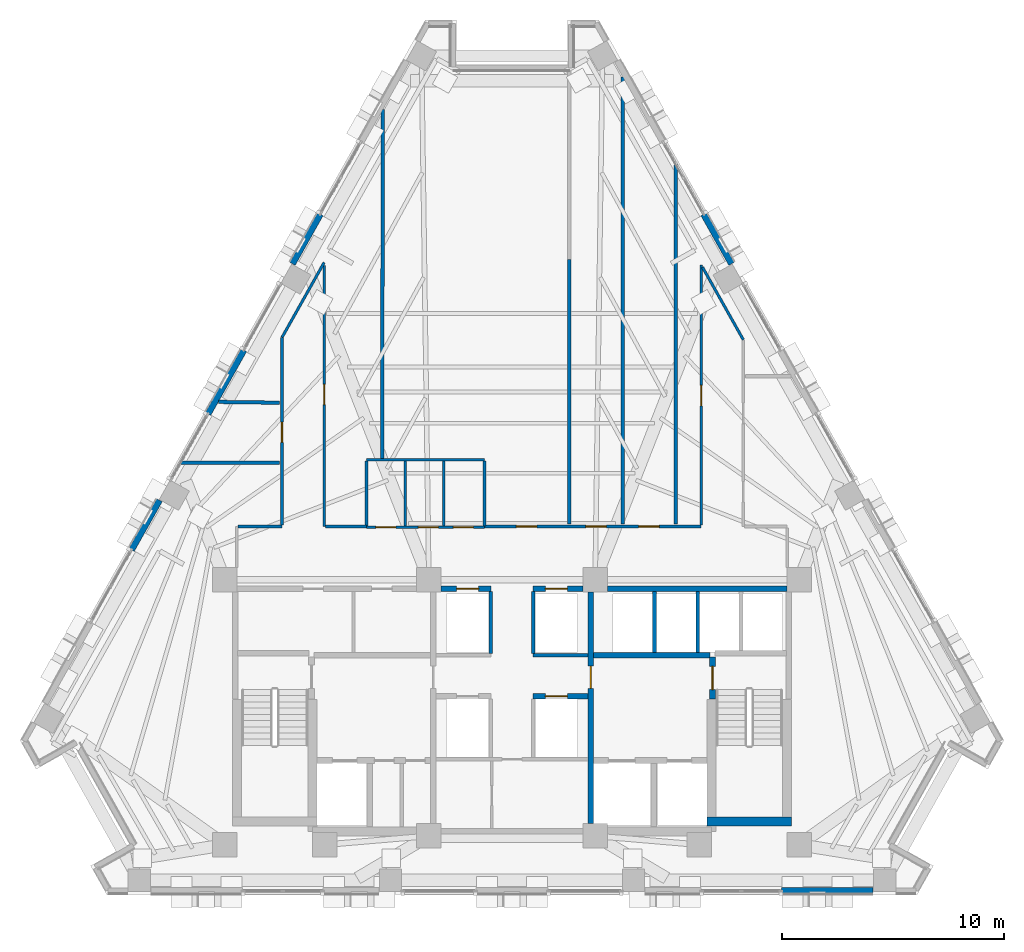
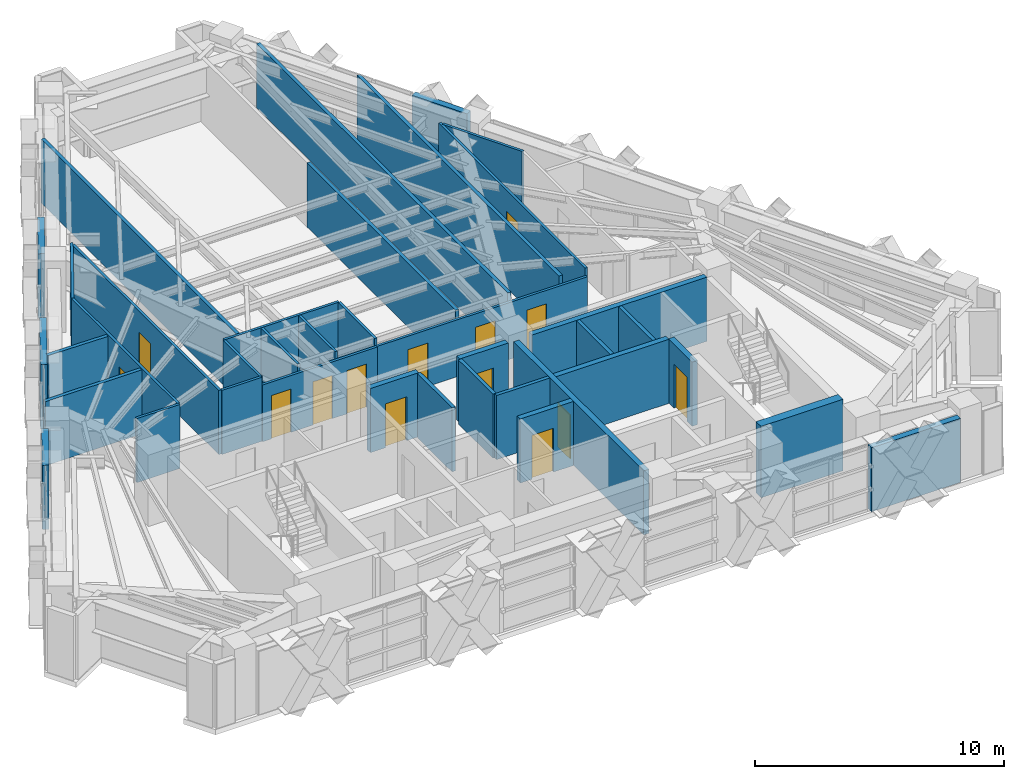
# One storey, part 8 of 13: 38 walls, 14 doors, 14 openings.
"""IFC4 building model written with IfcOpenShell, lengths in metres."""

from ifc_helpers import new_model, si_unit, direction, frame, frame_2d, origin, place, context, subcontext, project, spatial, rectangle, extrude, material, layer, layer_set, type_object, element, fill, save


model = new_model("IFC4")

# Units and contexts
model_context = context("Model", 3, precision=1e-05, world=origin(), true_north=direction((0.0, 1.0)))
body_context = subcontext(model_context, "Body", "Model", "MODEL_VIEW")
ifc_project = project(units=[si_unit("LENGTHUNIT", "METRE"), si_unit("AREAUNIT", "SQUARE_METRE"), si_unit("VOLUMEUNIT", "CUBIC_METRE"), si_unit("PLANEANGLEUNIT", "RADIAN"), si_unit("MASSUNIT", "GRAM", prefix="KILO")], contexts=[model_context])

# Site, building, storey
site_placement = place(None, origin())
site = spatial("IfcSite", under=ifc_project, at=site_placement, CompositionType="ELEMENT")
building_placement = place(site_placement, origin())
building = spatial("IfcBuilding", under=site, at=building_placement, Name="Quenlor Broadcast Tower", CompositionType="ELEMENT")
storey_placement = place(building_placement, frame((0.0, 0.0, 175.5)))
storey = spatial("IfcBuildingStorey", under=building, at=storey_placement, Name="L48", CompositionType="ELEMENT", Elevation=175.5)

# Wall
ifc_material_1 = material(Name="Concrete C50/60", Category="concrete")
ifc_layer_1 = layer(ifc_material_1, 0.39990234375)
ifc_layer_set_1 = layer_set([ifc_layer_1], Name="Core Concrete C50/60 Shear Wall 400")
wall_type_1 = type_object("IfcWallType", Name="Core Concrete C50/60 Shear Wall 400", PredefinedType="SHEAR", material=ifc_layer_set_1)
wall_1_placement = place(storey_placement, frame((8.800048828125, -15.699951171875, 0.0), z_axis=(0.0, 0.0, 1.0), x_axis=(1.0, 0.0, 0.0)))
element("IfcWall", 1, at=wall_1_placement, inside=storey, type_object=wall_type_1, Name="L48 Core Shear Wall WS-E2", PredefinedType="SHEAR", context=body_context, shape_type="SweptSolid", body=[
    extrude(rectangle(XDim=3.800048828125, YDim=0.39990234375, at=frame_2d((1.89990234375, 0.0))), origin(), (0.0, 0.0, 1.0), 3.5),
])

# Wall, opening, door
ifc_material_2 = material(Name="Concrete C40/50", Category="concrete")
ifc_layer_2 = layer(ifc_material_2, 0.25)
ifc_layer_set_2 = layer_set([ifc_layer_2], Name="Fire Rated Concrete C40/50 Core Wall 250")
wall_type_2 = type_object("IfcWallType", Name="Fire Rated Concrete C40/50 Core Wall 250", PredefinedType="PARTITIONING", material=ifc_layer_set_2)
wall_2_placement = place(storey_placement, frame((9.0400390625, -10.179931640625, 0.0), z_axis=(0.0, 0.0, 1.0), x_axis=(0.0, 1.0, 0.0)))
wall_2 = element("IfcWall", 2, at=wall_2_placement, inside=storey, type_object=wall_type_2, Name="L48 Interior Wall CW-ST2-DR", PredefinedType="PARTITIONING", context=body_context, shape_type="SweptSolid", body=[
    extrude(rectangle(XDim=1.89990234375, YDim=0.25, at=frame_2d((0.949951171875, 0.0))), origin(), (0.0, 0.0, 1.0), 3.139892578125),
])
opening_1_placement = place(wall_2_placement, frame((0.419921875, 0.0, 0.0)))
opening_1 = element("IfcOpeningElement", 3, at=opening_1_placement, cuts=wall_2, Name="Opening FD-1", PredefinedType="OPENING", context=body_context, shape_type="SweptSolid", body=[
    extrude(rectangle(XDim=1.050048828125, YDim=2.14990234375, at=frame_2d((0.52490234375, 1.074951171875))), frame((0.0, 0.135009765625, 0.0), z_axis=(0.0, -1.0, 0.0), x_axis=(1.0, 0.0, 0.0)), (0.0, 0.0, 1.0), 0.27001953125),
])
ifc_material_3 = material(Name="Fire Rated Steel Door Leaf", Category="steel")
door_type_1 = type_object("IfcDoorType", Name="Fire Isolated Stair Door 1050x2150", OperationType="NOTDEFINED", PredefinedType="DOOR", material=ifc_material_3)
door_1_placement = place(opening_1_placement, origin())
door_1 = element("IfcDoor", 4, at=door_1_placement, inside=storey, type_object=door_type_1, Name="L48 Door DR-ST2", OperationType="SINGLE_SWING_RIGHT", OverallHeight=2.14990234375, OverallWidth=1.050048828125, PredefinedType="DOOR", context=body_context, shape_type="SweptSolid", body=[
    extrude(rectangle(XDim=1.050048828125, YDim=2.14990234375, at=frame_2d((0.52490234375, 1.074951171875))), frame((0.0, 0.02490234375, 0.0), z_axis=(0.0, -1.0, 0.0), x_axis=(1.0, 0.0, 0.0)), (0.0, 0.0, 1.0), 0.050048828125),
])
fill(opening_1, door_1)

# Wall
wall_3_placement = place(storey_placement, frame((3.679931640625, -8.199951171875, 0.0), z_axis=(0.0, 0.0, 1.0), x_axis=(1.0, 0.0, 0.0)))
element("IfcWall", 5, at=wall_3_placement, inside=storey, type_object=wall_type_2, Name="L48 Interior Wall CW-FFE-N", PredefinedType="PARTITIONING", context=body_context, shape_type="SweptSolid", body=[
    extrude(rectangle(XDim=5.239990234375, YDim=0.25, at=frame_2d((2.6201171875, 0.0))), origin(), (0.0, 0.0, 1.0), 3.139892578125),
])

# Wall, opening, door
wall_4_placement = place(storey_placement, frame((3.550048828125, -15.798095703125, 0.0), z_axis=(0.0, 0.0, 1.0), x_axis=(0.0, 1.0, 0.0)))
wall_4 = element("IfcWall", 6, at=wall_4_placement, inside=storey, type_object=wall_type_2, Name="L48 Interior Wall CW-FFE-W", PredefinedType="PARTITIONING", context=body_context, shape_type="SweptSolid", body=[
    extrude(rectangle(XDim=10.446044921875, YDim=0.25, at=frame_2d((5.22314453125, 0.0))), origin(), (0.0, 0.0, 1.0), 3.139892578125),
])
opening_2_placement = place(wall_4_placement, frame((6.097900390625, 0.0, 0.0)))
opening_2 = element("IfcOpeningElement", 7, at=opening_2_placement, cuts=wall_4, Name="Opening FD-2", PredefinedType="OPENING", context=body_context, shape_type="SweptSolid", body=[
    extrude(rectangle(XDim=1.0, YDim=2.14990234375, at=frame_2d((0.5, 1.074951171875))), frame((0.0, 0.135009765625, 0.0), z_axis=(0.0, -1.0, 0.0), x_axis=(1.0, 0.0, 0.0)), (0.0, 0.0, 1.0), 0.27001953125),
])
ifc_material_4 = material(Name="Fire Rated Glazed Steel Door", Category="steel")
door_type_2 = type_object("IfcDoorType", Name="Firefighting Lobby Smoke Door 1000x2150", OperationType="NOTDEFINED", PredefinedType="DOOR", material=ifc_material_4)
door_2_placement = place(opening_2_placement, origin())
door_2 = element("IfcDoor", 8, at=door_2_placement, inside=storey, type_object=door_type_2, Name="L48 Door DR-FFLE", OperationType="SINGLE_SWING_LEFT", OverallHeight=2.14990234375, OverallWidth=1.0, PredefinedType="DOOR", context=body_context, shape_type="SweptSolid", body=[
    extrude(rectangle(XDim=1.0, YDim=2.14990234375, at=frame_2d((0.5, 1.074951171875))), frame((0.0, 0.02490234375, 0.0), z_axis=(0.0, -1.0, 0.0), x_axis=(1.0, 0.0, 0.0)), (0.0, 0.0, 1.0), 0.050048828125),
])
fill(opening_2, door_2)

# Wall
wall_5_placement = place(storey_placement, frame((4.302001953125, -5.199951171875, 0.0), z_axis=(0.0, 0.0, 1.0), x_axis=(1.0, 0.0, 0.0)))
element("IfcWall", 9, at=wall_5_placement, inside=storey, type_object=wall_type_2, Name="L48 Interior Wall CW-N-E", PredefinedType="PARTITIONING", context=body_context, shape_type="SweptSolid", body=[
    extrude(rectangle(XDim=8.095947265625, YDim=0.25, at=frame_2d((4.0478515625, 0.0))), origin(), (0.0, 0.0, 1.0), 3.139892578125),
])

# Wall, opening, door
wall_6_placement = place(storey_placement, frame((-3.197998046875, -5.199951171875, 0.0), z_axis=(0.0, 0.0, 1.0), x_axis=(1.0, 0.0, 0.0)))
wall_6 = element("IfcWall", 10, at=wall_6_placement, inside=storey, type_object=wall_type_2, Name="L48 Interior Wall CW-N-M1", PredefinedType="PARTITIONING", context=body_context, shape_type="SweptSolid", body=[
    extrude(rectangle(XDim=2.248046875, YDim=0.25, at=frame_2d((1.1240234375, 0.0))), origin(), (0.0, 0.0, 1.0), 3.139892578125),
])
opening_3_placement = place(wall_6_placement, frame((0.697998046875, 0.0, 0.0)))
opening_3 = element("IfcOpeningElement", 11, at=opening_3_placement, cuts=wall_6, Name="Opening LD-PL-M1", PredefinedType="OPENING", context=body_context, shape_type="SweptSolid", body=[
    extrude(rectangle(XDim=1.0, YDim=2.14990234375, at=frame_2d((0.5, 1.074951171875))), frame((0.0, 0.135009765625, 0.0), z_axis=(0.0, -1.0, 0.0), x_axis=(1.0, 0.0, 0.0)), (0.0, 0.0, 1.0), 0.27001953125),
])
ifc_material_5 = material(Name="Brushed Stainless Steel", Category="steel")
door_type_3 = type_object("IfcDoorType", Name="Passenger Lift Sliding Landing Door 1000x2150", OperationType="NOTDEFINED", PredefinedType="DOOR", material=ifc_material_5)
door_3_placement = place(opening_3_placement, origin())
door_3 = element("IfcDoor", 12, at=door_3_placement, inside=storey, type_object=door_type_3, Name="L48 Door LD-PL-M1", OperationType="SLIDING_TO_LEFT", OverallHeight=2.14990234375, OverallWidth=1.0, PredefinedType="DOOR", context=body_context, shape_type="SweptSolid", body=[
    extrude(rectangle(XDim=1.0, YDim=2.14990234375, at=frame_2d((0.5, 1.074951171875))), frame((0.0, 0.02490234375, 0.0), z_axis=(0.0, -1.0, 0.0), x_axis=(1.0, 0.0, 0.0)), (0.0, 0.0, 1.0), 0.050048828125),
])
fill(opening_3, door_3)

wall_7_placement = place(storey_placement, frame((0.949951171875, -5.199951171875, 0.0), z_axis=(0.0, 0.0, 1.0), x_axis=(1.0, 0.0, 0.0)))
wall_7 = element("IfcWall", 13, at=wall_7_placement, inside=storey, type_object=wall_type_2, Name="L48 Interior Wall CW-N-M2", PredefinedType="PARTITIONING", context=body_context, shape_type="SweptSolid", body=[
    extrude(rectangle(XDim=2.248046875, YDim=0.25, at=frame_2d((1.1240234375, 0.0))), origin(), (0.0, 0.0, 1.0), 3.139892578125),
])
opening_4_placement = place(wall_7_placement, frame((0.550048828125, 0.0, 0.0)))
opening_4 = element("IfcOpeningElement", 14, at=opening_4_placement, cuts=wall_7, Name="Opening LD-PL-M2", PredefinedType="OPENING", context=body_context, shape_type="SweptSolid", body=[
    extrude(rectangle(XDim=1.0, YDim=2.14990234375, at=frame_2d((0.5, 1.074951171875))), frame((0.0, 0.135009765625, 0.0), z_axis=(0.0, -1.0, 0.0), x_axis=(1.0, 0.0, 0.0)), (0.0, 0.0, 1.0), 0.27001953125),
])
door_4_placement = place(opening_4_placement, origin())
door_4 = element("IfcDoor", 15, at=door_4_placement, inside=storey, type_object=door_type_3, Name="L48 Door LD-PL-M2", OperationType="SLIDING_TO_RIGHT", OverallHeight=2.14990234375, OverallWidth=1.0, PredefinedType="DOOR", context=body_context, shape_type="SweptSolid", body=[
    extrude(rectangle(XDim=1.0, YDim=2.14990234375, at=frame_2d((0.5, 1.074951171875))), frame((0.0, 0.02490234375, 0.0), z_axis=(0.0, -1.0, 0.0), x_axis=(1.0, 0.0, 0.0)), (0.0, 0.0, 1.0), 0.050048828125),
])
fill(opening_4, door_4)

wall_8_placement = place(storey_placement, frame((0.949951171875, -10.050048828125, 0.0), z_axis=(0.0, 0.0, 1.0), x_axis=(1.0, 0.0, 0.0)))
wall_8 = element("IfcWall", 16, at=wall_8_placement, inside=storey, type_object=wall_type_2, Name="L48 Interior Wall CW-MS-N2", PredefinedType="PARTITIONING", context=body_context, shape_type="SweptSolid", body=[
    extrude(rectangle(XDim=2.469970703125, YDim=0.25, at=frame_2d((1.23486328125, 0.0))), origin(), (0.0, 0.0, 1.0), 3.139892578125),
])
opening_5_placement = place(wall_8_placement, frame((0.550048828125, 0.0, 0.0)))
opening_5 = element("IfcOpeningElement", 17, at=opening_5_placement, cuts=wall_8, Name="Opening LD-PL-M4", PredefinedType="OPENING", context=body_context, shape_type="SweptSolid", body=[
    extrude(rectangle(XDim=1.0, YDim=2.14990234375, at=frame_2d((0.5, 1.074951171875))), frame((0.0, 0.135009765625, 0.0), z_axis=(0.0, -1.0, 0.0), x_axis=(1.0, 0.0, 0.0)), (0.0, 0.0, 1.0), 0.27001953125),
])
door_5_placement = place(opening_5_placement, origin())
door_5 = element("IfcDoor", 18, at=door_5_placement, inside=storey, type_object=door_type_3, Name="L48 Door LD-PL-M4", OperationType="SLIDING_TO_RIGHT", OverallHeight=2.14990234375, OverallWidth=1.0, PredefinedType="DOOR", context=body_context, shape_type="SweptSolid", body=[
    extrude(rectangle(XDim=1.0, YDim=2.14990234375, at=frame_2d((0.5, 1.074951171875))), frame((0.0, 0.02490234375, 0.0), z_axis=(0.0, -1.0, 0.0), x_axis=(1.0, 0.0, 0.0)), (0.0, 0.0, 1.0), 0.050048828125),
])
fill(opening_5, door_5)

# Walls
ifc_material_6 = material(Name="Gypsum Fireboard Partition", Category="other")
ifc_layer_3 = layer(ifc_material_6, 0.159912109375)
ifc_layer_set_3 = layer_set([ifc_layer_3], Name="Fire Rated Shaft and Corridor Partition 160")
wall_type_3 = type_object("IfcWallType", Name="Fire Rated Shaft and Corridor Partition 160", PredefinedType="PARTITIONING", material=ifc_layer_set_3)
for number, where, z_axis, x_axis, name in (
    (19, (6.425048828125, -8.072998046875, 0.0), (0.0, 0.0, 1.0), (0.0, 1.0, 0.0), "L48 Interior Wall CW-PLH-D1"),
    (20, (8.375, -8.072998046875, 0.0), (0.0, 0.0, 1.0), (0.0, 1.0, 0.0), "L48 Interior Wall CW-PLH-D2"),
):
    element("IfcWall", number, at=place(storey_placement, frame(where, z_axis=z_axis, x_axis=x_axis)), inside=storey, type_object=wall_type_3, Name=name, PredefinedType="PARTITIONING", context=body_context, shape_type="SweptSolid", body=[
        extrude(rectangle(XDim=2.73291015625, YDim=0.159912109375, at=frame_2d((1.366455078125, 0.0))), origin(), (0.0, 0.0, 1.0), 3.139892578125),
    ])
for number, where, z_axis, x_axis, name in (
    (21, (-0.949951171875, -8.1201171875, 0.0), (0.0, 0.0, 1.0), (0.0, 1.0, 0.0), "L48 Interior Wall CW-CCRP-W"),
    (22, (0.949951171875, -8.1201171875, 0.0), (0.0, 0.0, 1.0), (0.0, 1.0, 0.0), "L48 Interior Wall CW-CCRP-E"),
):
    element("IfcWall", number, at=place(storey_placement, frame(where, z_axis=z_axis, x_axis=x_axis)), inside=storey, type_object=wall_type_3, Name=name, PredefinedType="PARTITIONING", context=body_context, shape_type="SweptSolid", body=[
        extrude(rectangle(XDim=2.780029296875, YDim=0.159912109375, at=frame_2d((1.39013671875, 0.0))), origin(), (0.0, 0.0, 1.0), 3.139892578125),
    ])
wall_9_placement = place(storey_placement, frame((0.949951171875, -8.199951171875, 0.0), z_axis=(0.0, 0.0, 1.0), x_axis=(1.0, 0.0, 0.0)))
element("IfcWall", 23, at=wall_9_placement, inside=storey, type_object=wall_type_3, Name="L48 Interior Wall CW-M-BACK2", PredefinedType="PARTITIONING", context=body_context, shape_type="SweptSolid", body=[
    extrude(rectangle(XDim=2.469970703125, YDim=0.159912109375, at=frame_2d((1.23486328125, 0.0))), origin(), (0.0, 0.0, 1.0), 3.139892578125),
])
wall_10_placement = place(storey_placement, frame((2.580078125, 9.634033203125, 0.0), z_axis=(0.0, 0.0, 1.0), x_axis=(0.0, -1.0, 0.0)))
element("IfcWall", 24, at=wall_10_placement, inside=storey, type_object=wall_type_3, Name="L48 Interior Wall PW-DV-02", PredefinedType="PARTITIONING", context=body_context, shape_type="SweptSolid", body=[
    extrude(rectangle(XDim=11.924072265625, YDim=0.159912109375, at=frame_2d((5.9619140625, 0.0))), origin(), (0.0, 0.0, 1.0), 3.139892578125),
])
wall_11_placement = place(storey_placement, frame((-5.85986328125, 0.672119140625, 0.0), z_axis=(0.0, 0.0, 1.0), x_axis=(0.002513685481, 0.999996840688, 0.0)))
element("IfcWall", 25, at=wall_11_placement, inside=storey, type_object=wall_type_3, Name="L48 Interior Wall PW-DV-03", PredefinedType="PARTITIONING", context=body_context, shape_type="SweptSolid", body=[
    extrude(rectangle(XDim=15.734130859375, YDim=0.159912109375, at=frame_2d((7.8671875, 0.0))), origin(), (0.0, 0.0, 1.0), 3.139892578125),
])
wall_12_placement = place(storey_placement, frame((5.0, 17.864501953125, 0.0), z_axis=(0.0, 0.0, 1.0), x_axis=(0.0, -1.0, 0.0)))
element("IfcWall", 26, at=wall_12_placement, inside=storey, type_object=wall_type_3, Name="L48 Interior Wall PW-DV-04", PredefinedType="PARTITIONING", context=body_context, shape_type="SweptSolid", body=[
    extrude(rectangle(XDim=20.154541015625, YDim=0.159912109375, at=frame_2d((10.0771484375, 0.0))), origin(), (0.0, 0.0, 1.0), 3.139892578125),
])
wall_13_placement = place(storey_placement, frame((7.3798828125, 13.93310546875, 0.0), z_axis=(0.0, 0.0, 1.0), x_axis=(0.0, -1.0, 0.0)))
element("IfcWall", 27, at=wall_13_placement, inside=storey, type_object=wall_type_3, Name="L48 Interior Wall PW-DV-05", PredefinedType="PARTITIONING", context=body_context, shape_type="SweptSolid", body=[
    extrude(rectangle(XDim=16.22314453125, YDim=0.159912109375, at=frame_2d((8.111572265625, 0.0))), origin(), (0.0, 0.0, 1.0), 3.139892578125),
])
wall_14_placement = place(storey_placement, frame((-10.47998046875, 3.18212890625, 0.0), z_axis=(0.0, 0.0, 1.0), x_axis=(-0.999909495127, 0.013453681797, 0.0)))
element("IfcWall", 28, at=wall_14_placement, inside=storey, type_object=wall_type_3, Name="L48 Interior Wall PW-DV-06", PredefinedType="PARTITIONING", context=body_context, shape_type="SweptSolid", body=[
    extrude(rectangle(XDim=2.75830078125, YDim=0.159912109375, at=frame_2d((1.379150390625, 0.0))), origin(), (0.0, 0.0, 1.0), 3.139892578125),
])
wall_15_placement = place(storey_placement, frame((-10.47998046875, 0.479736328125, 0.0), z_axis=(0.0, 0.0, 1.0), x_axis=(-1.0, 0.0, 0.0)))
element("IfcWall", 29, at=wall_15_placement, inside=storey, type_object=wall_type_3, Name="L48 Interior Wall PW-DV-08", PredefinedType="PARTITIONING", context=body_context, shape_type="SweptSolid", body=[
    extrude(rectangle(XDim=4.467529296875, YDim=0.159912109375, at=frame_2d((2.23388671875, 0.0))), origin(), (0.0, 0.0, 1.0), 3.139892578125),
])

# Wall, openings, doors
ifc_material_7 = material(Name="Gypsum Plasterboard Partition", Category="other")
ifc_layer_4 = layer(ifc_material_7, 0.1201171875)
ifc_layer_set_4 = layer_set([ifc_layer_4], Name="Standard Office Partition 120")
wall_type_4 = type_object("IfcWallType", Name="Standard Office Partition 120", PredefinedType="PARTITIONING", material=ifc_layer_set_4)
wall_16_placement = place(storey_placement, frame((-6.56005859375, -2.43994140625, 0.0), z_axis=(0.0, 0.0, 1.0), x_axis=(1.0, 0.0, 0.0)))
wall_16 = element("IfcWall", 30, at=wall_16_placement, inside=storey, type_object=wall_type_4, Name="L48 Interior Wall PW-WC-S", PredefinedType="PARTITIONING", context=body_context, shape_type="SweptSolid", body=[
    extrude(rectangle(XDim=5.320068359375, YDim=0.1201171875, at=frame_2d((2.66015625, 0.0))), origin(), (0.0, 0.0, 1.0), 2.781494140625),
])
opening_6_placement = place(wall_16_placement, frame((0.419921875, 0.0, 0.0)))
opening_6 = element("IfcOpeningElement", 31, at=opening_6_placement, cuts=wall_16, Name="Opening ID-3", PredefinedType="OPENING", context=body_context, shape_type="SweptSolid", body=[
    extrude(rectangle(XDim=0.89990234375, YDim=2.1201171875, at=frame_2d((0.449951171875, 1.06005859375))), frame((0.0, 0.070068359375, 0.0), z_axis=(0.0, -1.0, 0.0), x_axis=(1.0, 0.0, 0.0)), (0.0, 0.0, 1.0), 0.14013671875),
])
opening_7_placement = place(wall_16_placement, frame((2.340087890625, 0.0, 0.0)))
opening_7 = element("IfcOpeningElement", 32, at=opening_7_placement, cuts=wall_16, Name="Opening ID-3", PredefinedType="OPENING", context=body_context, shape_type="SweptSolid", body=[
    extrude(rectangle(XDim=0.89990234375, YDim=2.1201171875, at=frame_2d((0.449951171875, 1.06005859375))), frame((0.0, 0.070068359375, 0.0), z_axis=(0.0, -1.0, 0.0), x_axis=(1.0, 0.0, 0.0)), (0.0, 0.0, 1.0), 0.14013671875),
])
opening_8_placement = place(wall_16_placement, frame((3.919921875, 0.0, 0.0)))
opening_8 = element("IfcOpeningElement", 33, at=opening_8_placement, cuts=wall_16, Name="Opening ID-3", PredefinedType="OPENING", context=body_context, shape_type="SweptSolid", body=[
    extrude(rectangle(XDim=0.89990234375, YDim=2.1201171875, at=frame_2d((0.449951171875, 1.06005859375))), frame((0.0, 0.070068359375, 0.0), z_axis=(0.0, -1.0, 0.0), x_axis=(1.0, 0.0, 0.0)), (0.0, 0.0, 1.0), 0.14013671875),
])
ifc_material_8 = material(Name="Moisture Resistant Timber Oak", Category="wood")
door_type_4 = type_object("IfcDoorType", Name="Washroom Privacy Door 900x2120", OperationType="NOTDEFINED", PredefinedType="DOOR", material=ifc_material_8)
door_6_placement = place(opening_6_placement, origin())
door_6 = element("IfcDoor", 34, at=door_6_placement, inside=storey, type_object=door_type_4, Name="L48 Door DR-FWC", OperationType="SINGLE_SWING_LEFT", OverallHeight=2.1201171875, OverallWidth=0.89990234375, PredefinedType="DOOR", context=body_context, shape_type="SweptSolid", body=[
    extrude(rectangle(XDim=0.89990234375, YDim=2.1201171875, at=frame_2d((0.449951171875, 1.06005859375))), frame((0.0, 0.02490234375, 0.0), z_axis=(0.0, -1.0, 0.0), x_axis=(1.0, 0.0, 0.0)), (0.0, 0.0, 1.0), 0.050048828125),
])
fill(opening_6, door_6)
door_7_placement = place(opening_7_placement, origin())
door_7 = element("IfcDoor", 35, at=door_7_placement, inside=storey, type_object=door_type_4, Name="L48 Door DR-MWC", OperationType="SINGLE_SWING_RIGHT", OverallHeight=2.1201171875, OverallWidth=0.89990234375, PredefinedType="DOOR", context=body_context, shape_type="SweptSolid", body=[
    extrude(rectangle(XDim=0.89990234375, YDim=2.1201171875, at=frame_2d((0.449951171875, 1.06005859375))), frame((0.0, 0.02490234375, 0.0), z_axis=(0.0, -1.0, 0.0), x_axis=(1.0, 0.0, 0.0)), (0.0, 0.0, 1.0), 0.050048828125),
])
fill(opening_7, door_7)
door_8_placement = place(opening_8_placement, origin())
door_8 = element("IfcDoor", 36, at=door_8_placement, inside=storey, type_object=door_type_4, Name="L48 Door DR-AWC", OperationType="SINGLE_SWING_RIGHT", OverallHeight=2.1201171875, OverallWidth=0.89990234375, PredefinedType="DOOR", context=body_context, shape_type="SweptSolid", body=[
    extrude(rectangle(XDim=0.89990234375, YDim=2.1201171875, at=frame_2d((0.449951171875, 1.06005859375))), frame((0.0, 0.02490234375, 0.0), z_axis=(0.0, -1.0, 0.0), x_axis=(1.0, 0.0, 0.0)), (0.0, 0.0, 1.0), 0.050048828125),
])
fill(opening_8, door_8)

# Walls
wall_17_placement = place(storey_placement, frame((-6.56005859375, 0.610107421875, 0.0), z_axis=(0.0, 0.0, 1.0), x_axis=(1.0, 0.0, 0.0)))
element("IfcWall", 37, at=wall_17_placement, inside=storey, type_object=wall_type_4, Name="L48 Interior Wall PW-WC-N", PredefinedType="PARTITIONING", context=body_context, shape_type="SweptSolid", body=[
    extrude(rectangle(XDim=5.320068359375, YDim=0.1201171875, at=frame_2d((2.66015625, 0.0))), origin(), (0.0, 0.0, 1.0), 3.139892578125),
])
for number, where, z_axis, x_axis, name in (
    (38, (-6.56005859375, -2.3779296875, 0.0), (0.0, 0.0, 1.0), (0.0, 1.0, 0.0), "L48 Interior Wall PW-WC-W"),
    (39, (-4.820068359375, -2.3779296875, 0.0), (0.0, 0.0, 1.0), (0.0, 1.0, 0.0), "L48 Interior Wall PW-WC-M1"),
    (40, (-3.080078125, -2.3779296875, 0.0), (0.0, 0.0, 1.0), (0.0, 1.0, 0.0), "L48 Interior Wall PW-WC-M2"),
    (41, (-1.239990234375, -2.3779296875, 0.0), (0.0, 0.0, 1.0), (0.0, 1.0, 0.0), "L48 Interior Wall PW-WC-E"),
):
    element("IfcWall", number, at=place(storey_placement, frame(where, z_axis=z_axis, x_axis=x_axis)), inside=storey, type_object=wall_type_4, Name=name, PredefinedType="PARTITIONING", context=body_context, shape_type="SweptSolid", body=[
        extrude(rectangle(XDim=2.926025390625, YDim=0.1201171875, at=frame_2d((1.462890625, 0.0))), origin(), (0.0, 0.0, 1.0), 3.139892578125),
    ])
wall_18_placement = place(storey_placement, frame((-12.347900390625, -2.39990234375, 0.0), z_axis=(0.0, 0.0, 1.0), x_axis=(1.0, 0.0, 0.0)))
element("IfcWall", 42, at=wall_18_placement, inside=storey, type_object=wall_type_4, Name="L48 Interior Wall PW-CR-02", PredefinedType="PARTITIONING", context=body_context, shape_type="SweptSolid", body=[
    extrude(rectangle(XDim=1.977783203125, YDim=0.1201171875, at=frame_2d((0.98876953125, 0.0))), origin(), (0.0, 0.0, 1.0), 3.139892578125),
])

# Wall, opening, door
wall_19_placement = place(storey_placement, frame((-10.3701171875, -2.337890625, 0.0), z_axis=(0.0, 0.0, 1.0), x_axis=(0.0, 1.0, 0.0)))
wall_19 = element("IfcWall", 43, at=wall_19_placement, inside=storey, type_object=wall_type_4, Name="L48 Interior Wall PW-CR-03", PredefinedType="PARTITIONING", context=body_context, shape_type="SweptSolid", body=[
    extrude(rectangle(XDim=8.467041015625, YDim=0.1201171875, at=frame_2d((4.2333984375, 0.0))), origin(), (0.0, 0.0, 1.0), 3.139892578125),
])
opening_9_placement = place(wall_19_placement, frame((3.72802734375, 0.0, 0.0)))
opening_9 = element("IfcOpeningElement", 44, at=opening_9_placement, cuts=wall_19, Name="Opening ID-1", PredefinedType="OPENING", context=body_context, shape_type="SweptSolid", body=[
    extrude(rectangle(XDim=0.919921875, YDim=2.1201171875, at=frame_2d((0.4599609375, 1.06005859375))), frame((0.0, 0.070068359375, 0.0), z_axis=(0.0, -1.0, 0.0), x_axis=(1.0, 0.0, 0.0)), (0.0, 0.0, 1.0), 0.14013671875),
])
ifc_material_9 = material(Name="Solid Core Timber Oak", Category="wood")
door_type_5 = type_object("IfcDoorType", Name="Single Leaf Timber Office Door 920x2120", OperationType="NOTDEFINED", PredefinedType="DOOR", material=ifc_material_9)
door_9_placement = place(opening_9_placement, origin())
door_9 = element("IfcDoor", 45, at=door_9_placement, inside=storey, type_object=door_type_5, Name="L48 Door DR-RM07", OperationType="SINGLE_SWING_LEFT", OverallHeight=2.1201171875, OverallWidth=0.919921875, PredefinedType="DOOR", context=body_context, shape_type="SweptSolid", body=[
    extrude(rectangle(XDim=0.919921875, YDim=2.1201171875, at=frame_2d((0.4599609375, 1.06005859375))), frame((0.0, 0.02490234375, 0.0), z_axis=(0.0, -1.0, 0.0), x_axis=(1.0, 0.0, 0.0)), (0.0, 0.0, 1.0), 0.050048828125),
])
fill(opening_9, door_9)

# Wall
wall_20_placement = place(storey_placement, frame((-10.368896484375, 6.131103515625, 0.0), z_axis=(0.0, 0.0, 1.0), x_axis=(0.49024926945, 0.871582270244, 0.0)))
element("IfcWall", 46, at=wall_20_placement, inside=storey, type_object=wall_type_4, Name="L48 Interior Wall PW-CR-04", PredefinedType="PARTITIONING", context=body_context, shape_type="SweptSolid", body=[
    extrude(rectangle(XDim=3.873291015625, YDim=0.1201171875, at=frame_2d((1.9365234375, 0.0))), origin(), (0.0, 0.0, 1.0), 3.139892578125),
])

# Wall, opening, door
wall_21_placement = place(storey_placement, frame((-8.469970703125, 9.380615234375, 0.0), z_axis=(0.0, 0.0, 1.0), x_axis=(0.0, -1.0, 0.0)))
wall_21 = element("IfcWall", 47, at=wall_21_placement, inside=storey, type_object=wall_type_4, Name="L48 Interior Wall PW-CR-05", PredefinedType="PARTITIONING", context=body_context, shape_type="SweptSolid", body=[
    extrude(rectangle(XDim=11.780517578125, YDim=0.1201171875, at=frame_2d((5.89013671875, 0.0))), origin(), (0.0, 0.0, 1.0), 3.139892578125),
])
opening_10_placement = place(wall_21_placement, frame((5.366943359375, 0.0, 0.0)))
opening_10 = element("IfcOpeningElement", 48, at=opening_10_placement, cuts=wall_21, Name="Opening ID-1", PredefinedType="OPENING", context=body_context, shape_type="SweptSolid", body=[
    extrude(rectangle(XDim=0.919921875, YDim=2.1201171875, at=frame_2d((0.4599609375, 1.06005859375))), frame((0.0, 0.070068359375, 0.0), z_axis=(0.0, -1.0, 0.0), x_axis=(1.0, 0.0, 0.0)), (0.0, 0.0, 1.0), 0.14013671875),
])
door_10_placement = place(opening_10_placement, origin())
door_10 = element("IfcDoor", 49, at=door_10_placement, inside=storey, type_object=door_type_5, Name="L48 Door DR-RM04", OperationType="SINGLE_SWING_RIGHT", OverallHeight=2.1201171875, OverallWidth=0.919921875, PredefinedType="DOOR", context=body_context, shape_type="SweptSolid", body=[
    extrude(rectangle(XDim=0.919921875, YDim=2.1201171875, at=frame_2d((0.4599609375, 1.06005859375))), frame((0.0, 0.02490234375, 0.0), z_axis=(0.0, -1.0, 0.0), x_axis=(1.0, 0.0, 0.0)), (0.0, 0.0, 1.0), 0.050048828125),
])
fill(opening_10, door_10)

# Wall
wall_22_placement = place(storey_placement, frame((-8.407958984375, -2.39990234375, 0.0), z_axis=(0.0, 0.0, 1.0), x_axis=(1.0, 0.0, 0.0)))
element("IfcWall", 50, at=wall_22_placement, inside=storey, type_object=wall_type_4, Name="L48 Interior Wall PW-CR-06", PredefinedType="PARTITIONING", context=body_context, shape_type="SweptSolid", body=[
    extrude(rectangle(XDim=1.845947265625, YDim=0.1201171875, at=frame_2d((0.9228515625, 0.0))), origin(), (0.0, 0.0, 1.0), 3.139892578125),
])

# Wall, openings, doors
wall_23_placement = place(storey_placement, frame((-1.238037109375, -2.39990234375, 0.0), z_axis=(0.0, 0.0, 1.0), x_axis=(1.0, 0.0, 0.0)))
wall_23 = element("IfcWall", 51, at=wall_23_placement, inside=storey, type_object=wall_type_4, Name="L48 Interior Wall PW-CR-06S2", PredefinedType="PARTITIONING", context=body_context, shape_type="SweptSolid", body=[
    extrude(rectangle(XDim=9.76806640625, YDim=0.1201171875, at=frame_2d((4.884033203125, 0.0))), origin(), (0.0, 0.0, 1.0), 2.781494140625),
])
opening_11_placement = place(wall_23_placement, frame((1.43798828125, 0.0, 0.0)))
opening_11 = element("IfcOpeningElement", 52, at=opening_11_placement, cuts=wall_23, Name="Opening ID-1", PredefinedType="OPENING", context=body_context, shape_type="SweptSolid", body=[
    extrude(rectangle(XDim=0.919921875, YDim=2.1201171875, at=frame_2d((0.4599609375, 1.06005859375))), frame((0.0, 0.070068359375, 0.0), z_axis=(0.0, -1.0, 0.0), x_axis=(1.0, 0.0, 0.0)), (0.0, 0.0, 1.0), 0.14013671875),
])
opening_12_placement = place(wall_23_placement, frame((4.568115234375, 0.0, 0.0)))
opening_12 = element("IfcOpeningElement", 53, at=opening_12_placement, cuts=wall_23, Name="Opening ID-1", PredefinedType="OPENING", context=body_context, shape_type="SweptSolid", body=[
    extrude(rectangle(XDim=0.919921875, YDim=2.1201171875, at=frame_2d((0.4599609375, 1.06005859375))), frame((0.0, 0.070068359375, 0.0), z_axis=(0.0, -1.0, 0.0), x_axis=(1.0, 0.0, 0.0)), (0.0, 0.0, 1.0), 0.14013671875),
])
opening_13_placement = place(wall_23_placement, frame((6.947998046875, 0.0, 0.0)))
opening_13 = element("IfcOpeningElement", 54, at=opening_13_placement, cuts=wall_23, Name="Opening ID-1", PredefinedType="OPENING", context=body_context, shape_type="SweptSolid", body=[
    extrude(rectangle(XDim=0.919921875, YDim=2.1201171875, at=frame_2d((0.4599609375, 1.06005859375))), frame((0.0, 0.070068359375, 0.0), z_axis=(0.0, -1.0, 0.0), x_axis=(1.0, 0.0, 0.0)), (0.0, 0.0, 1.0), 0.14013671875),
])
door_11_placement = place(opening_11_placement, origin())
door_11 = element("IfcDoor", 55, at=door_11_placement, inside=storey, type_object=door_type_5, Name="L48 Door DR-RM01", OperationType="SINGLE_SWING_LEFT", OverallHeight=2.1201171875, OverallWidth=0.919921875, PredefinedType="DOOR", context=body_context, shape_type="SweptSolid", body=[
    extrude(rectangle(XDim=0.919921875, YDim=2.1201171875, at=frame_2d((0.4599609375, 1.06005859375))), frame((0.0, 0.02490234375, 0.0), z_axis=(0.0, -1.0, 0.0), x_axis=(1.0, 0.0, 0.0)), (0.0, 0.0, 1.0), 0.050048828125),
])
fill(opening_11, door_11)
door_12_placement = place(opening_12_placement, origin())
door_12 = element("IfcDoor", 56, at=door_12_placement, inside=storey, type_object=door_type_5, Name="L48 Door DR-RM02", OperationType="SINGLE_SWING_RIGHT", OverallHeight=2.1201171875, OverallWidth=0.919921875, PredefinedType="DOOR", context=body_context, shape_type="SweptSolid", body=[
    extrude(rectangle(XDim=0.919921875, YDim=2.1201171875, at=frame_2d((0.4599609375, 1.06005859375))), frame((0.0, 0.02490234375, 0.0), z_axis=(0.0, -1.0, 0.0), x_axis=(1.0, 0.0, 0.0)), (0.0, 0.0, 1.0), 0.050048828125),
])
fill(opening_12, door_12)
door_13_placement = place(opening_13_placement, origin())
door_13 = element("IfcDoor", 57, at=door_13_placement, inside=storey, type_object=door_type_5, Name="L48 Door DR-RM03", OperationType="SINGLE_SWING_LEFT", OverallHeight=2.1201171875, OverallWidth=0.919921875, PredefinedType="DOOR", context=body_context, shape_type="SweptSolid", body=[
    extrude(rectangle(XDim=0.919921875, YDim=2.1201171875, at=frame_2d((0.4599609375, 1.06005859375))), frame((0.0, 0.02490234375, 0.0), z_axis=(0.0, -1.0, 0.0), x_axis=(1.0, 0.0, 0.0)), (0.0, 0.0, 1.0), 0.050048828125),
])
fill(opening_13, door_13)

# Wall, opening, door
wall_24_placement = place(storey_placement, frame((8.530029296875, -2.337890625, 0.0), z_axis=(0.0, 0.0, 1.0), x_axis=(0.0, 1.0, 0.0)))
wall_24 = element("IfcWall", 58, at=wall_24_placement, inside=storey, type_object=wall_type_4, Name="L48 Interior Wall PW-CR-07", PredefinedType="PARTITIONING", context=body_context, shape_type="SweptSolid", body=[
    extrude(rectangle(XDim=11.73828125, YDim=0.1201171875, at=frame_2d((5.869140625, 0.0))), origin(), (0.0, 0.0, 1.0), 3.139892578125),
])
opening_14_placement = place(wall_24_placement, frame((5.3779296875, 0.0, 0.0)))
opening_14 = element("IfcOpeningElement", 59, at=opening_14_placement, cuts=wall_24, Name="Opening ID-1", PredefinedType="OPENING", context=body_context, shape_type="SweptSolid", body=[
    extrude(rectangle(XDim=0.919921875, YDim=2.1201171875, at=frame_2d((0.4599609375, 1.06005859375))), frame((0.0, 0.070068359375, 0.0), z_axis=(0.0, -1.0, 0.0), x_axis=(1.0, 0.0, 0.0)), (0.0, 0.0, 1.0), 0.14013671875),
])
door_14_placement = place(opening_14_placement, origin())
door_14 = element("IfcDoor", 60, at=door_14_placement, inside=storey, type_object=door_type_5, Name="L48 Door DR-RM05", OperationType="SINGLE_SWING_LEFT", OverallHeight=2.1201171875, OverallWidth=0.919921875, PredefinedType="DOOR", context=body_context, shape_type="SweptSolid", body=[
    extrude(rectangle(XDim=0.919921875, YDim=2.1201171875, at=frame_2d((0.4599609375, 1.06005859375))), frame((0.0, 0.02490234375, 0.0), z_axis=(0.0, -1.0, 0.0), x_axis=(1.0, 0.0, 0.0)), (0.0, 0.0, 1.0), 0.050048828125),
])
fill(opening_14, door_14)

# Walls
wall_25_placement = place(storey_placement, frame((8.592041015625, 9.2900390625, 0.0), z_axis=(0.0, 0.0, 1.0), x_axis=(0.490264331639, -0.871573797864, 0.0)))
element("IfcWall", 61, at=wall_25_placement, inside=storey, type_object=wall_type_4, Name="L48 Interior Wall PW-CR-08", PredefinedType="PARTITIONING", context=body_context, shape_type="SweptSolid", body=[
    extrude(rectangle(XDim=3.748779296875, YDim=0.1201171875, at=frame_2d((1.87451171875, 0.0))), origin(), (0.0, 0.0, 1.0), 3.139892578125),
])
ifc_material_10 = material(Name="Precast concrete C40/50", Category="concrete")
ifc_layer_5 = layer(ifc_material_10, 0.280029296875)
ifc_layer_set_5 = layer_set([ifc_layer_5], Name="Terracotta Precast Concrete C40/50 Facade Wall 280")
wall_type_5 = type_object("IfcWallType", Name="Terracotta Precast Concrete C40/50 Facade Wall 280", PredefinedType="STANDARD", material=ifc_layer_set_5)
wall_26_placement = place(storey_placement, frame((16.283447265625, -18.824951171875, 0.0), z_axis=(0.0, 0.0, 1.0), x_axis=(-1.0, 0.0, 0.0)))
element("IfcWall", 62, at=wall_26_placement, inside=storey, type_object=wall_type_5, Name="L48 Exterior Wall L48-SA-SP1", PredefinedType="STANDARD", context=body_context, shape_type="SweptSolid", body=[
    extrude(rectangle(XDim=4.134521484375, YDim=0.280029296875, at=frame_2d((2.0673828125, 0.0))), origin(), (0.0, 0.0, 1.0), 3.139892578125),
])
for number, where, z_axis, x_axis, name in (
    (63, (8.640625, 11.681884765625, 0.0), (0.0, 0.0, 1.0), (0.490301864627, -0.871552684319, 0.0), "L48 Exterior Wall L48-NEA-SP2"),
    (64, (-17.154296875, -3.453369140625, 0.0), (0.0, 0.0, 1.0), (0.490229640206, 0.871593311048, 0.0), "L48 Exterior Wall L48-NWA-SP2"),
    (65, (-9.899658203125, 9.44384765625, 0.0), (0.0, 0.0, 1.0), (0.490301864627, 0.871552684319, 0.0), "L48 Exterior Wall L48-NWC-SP1"),
):
    element("IfcWall", number, at=place(storey_placement, frame(where, z_axis=z_axis, x_axis=x_axis)), inside=storey, type_object=wall_type_5, Name=name, PredefinedType="STANDARD", context=body_context, shape_type="SweptSolid", body=[
        extrude(rectangle(XDim=2.56787109375, YDim=0.280029296875, at=frame_2d((1.283935546875, 0.0))), origin(), (0.0, 0.0, 1.0), 3.139892578125),
    ])
wall_27_placement = place(storey_placement, frame((-13.706298828125, 2.676513671875, 0.0), z_axis=(0.0, 0.0, 1.0), x_axis=(0.490285834707, 0.871561701938, 0.0)))
element("IfcWall", 66, at=wall_27_placement, inside=storey, type_object=wall_type_5, Name="L48 Exterior Wall L48-NW-SP1", PredefinedType="STANDARD", context=body_context, shape_type="SweptSolid", body=[
    extrude(rectangle(XDim=3.299072265625, YDim=0.280029296875, at=frame_2d((1.6494140625, 0.0))), origin(), (0.0, 0.0, 1.0), 3.139892578125),
])

save(model, "model.ifc")
